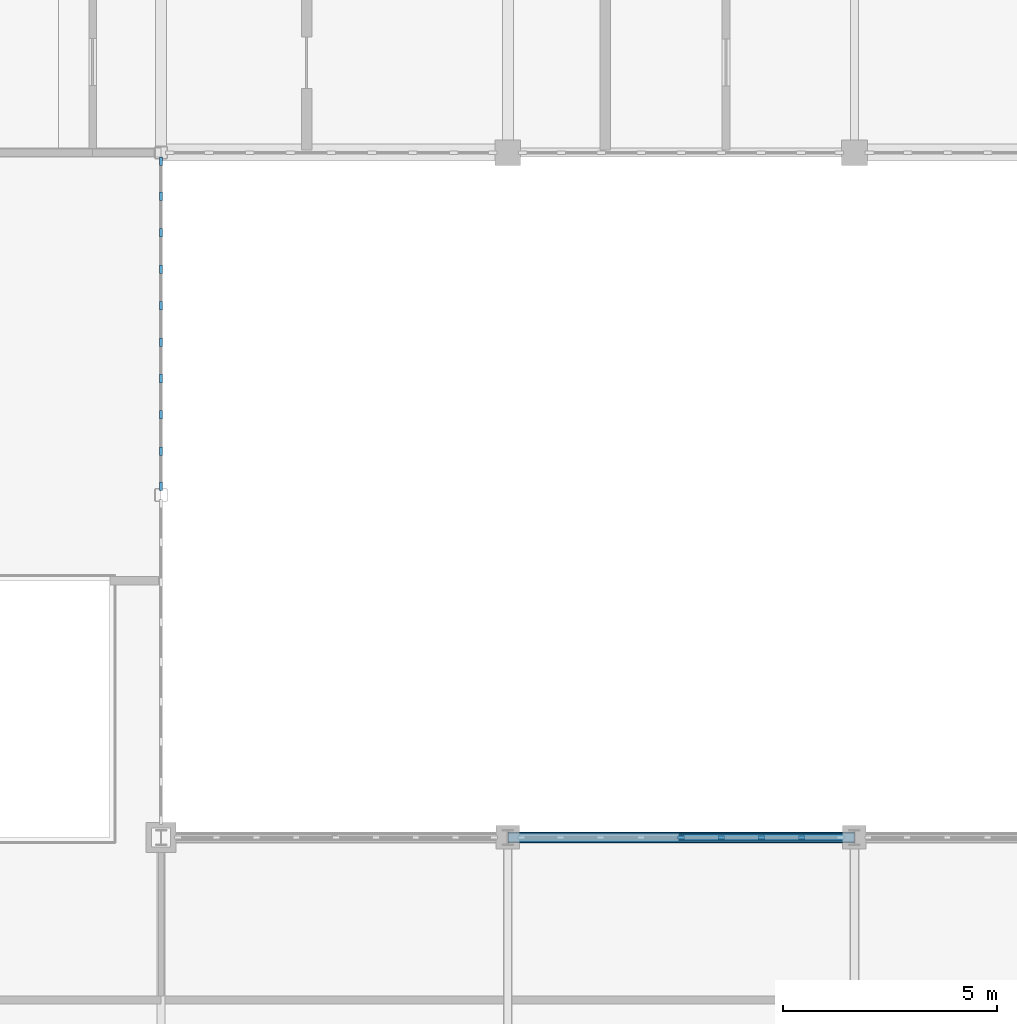
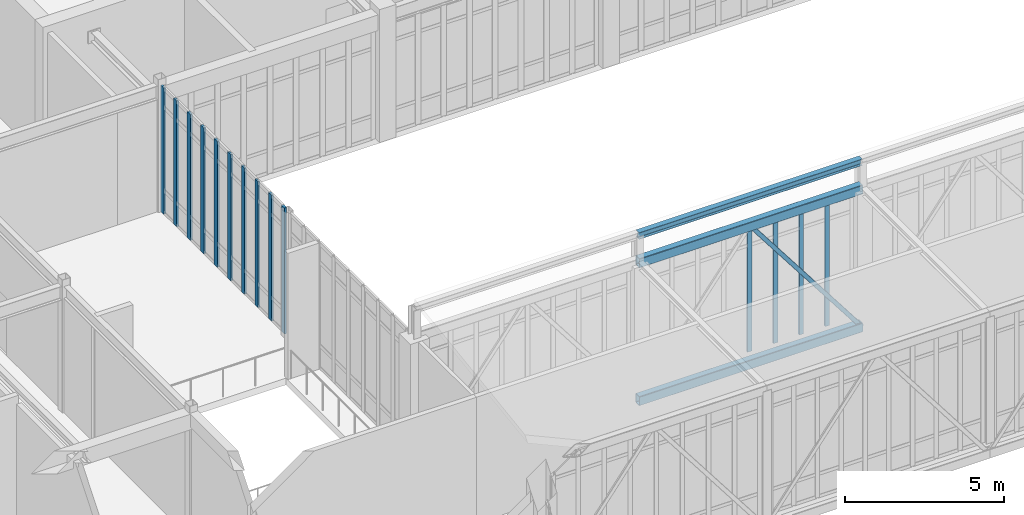
# One storey, part 28 of 107: 17 members, 1 beam, 2 elements without a shape of their own.
"""IFC4 building model written with IfcOpenShell, lengths in metres."""

from ifc_helpers import new_model, si_unit, direction, frame, origin, origin_2d, place, context, subcontext, project, spatial, rectangle, hollow_rectangle, i_section, extrude, material, material_profile, profile_set, type_object, element, aggregate, save


model = new_model("IFC4")

# Units and contexts
model_context = context("Model", 3, precision=1e-05, world=origin(), true_north=direction((0.0, 1.0)))
body_context = subcontext(model_context, "Body", "Model", "MODEL_VIEW")
ifc_project = project(units=[si_unit("LENGTHUNIT", "METRE"), si_unit("AREAUNIT", "SQUARE_METRE"), si_unit("VOLUMEUNIT", "CUBIC_METRE"), si_unit("PLANEANGLEUNIT", "RADIAN"), si_unit("MASSUNIT", "GRAM", prefix="KILO")], contexts=[model_context])

# Site, building, storey
site_placement = place(None, origin())
site = spatial("IfcSite", under=ifc_project, at=site_placement, CompositionType="ELEMENT")
building_placement = place(site_placement, origin())
building = spatial("IfcBuilding", under=site, at=building_placement, Name="Tarnveldt Square Police Headquarters", CompositionType="ELEMENT")
storey_placement = place(building_placement, frame((0.0, 0.0, 14.699951171875)))
storey = spatial("IfcBuildingStorey", under=building, at=storey_placement, Name="L03", CompositionType="ELEMENT", Elevation=14.699951171875)

# Beam
ifc_material_1 = material(Name="Steel 350W", Category="steel")
ifc_material_profile_1 = material_profile(ifc_material_1, i_section(OverallWidth=0.202880859375, OverallDepth=0.251953125, WebThickness=0.008056640625, FlangeThickness=0.013427734375, FilletRadius=0.012939453125, at=origin_2d()), Name="W250x58")
ifc_profile_set_1 = profile_set([ifc_material_profile_1], Name="Steel 350W")
beam_type = type_object("IfcBeamType", Name="BM-W250x58", PredefinedType="BEAM", material=ifc_profile_set_1)
beam_placement = place(storey_placement, frame((56.699951171875, 80.0, 5.89013671875), z_axis=(1.0, 0.0, 0.0), x_axis=(0.0, 1.0, 0.0)))
element("IfcBeam", 1, at=beam_placement, inside=storey, type_object=beam_type, Name="Skybridge SBN High Eave Beam 2", PredefinedType="BEAM", context=body_context, shape_type="SweptSolid", body=[
    extrude(i_section(OverallWidth=0.202880859375, OverallDepth=0.251953125, WebThickness=0.008056640625, FlangeThickness=0.013427734375, FilletRadius=0.012939453125, at=origin_2d()), origin(), (0.0, 0.0, 1.0), 8.10009765625),
])

# Curtain wall, members
ifc_material_2 = material(Name="Triple-glazed low-e laminated vision glass", Category="glass")
curtain_wall_type_1 = type_object("IfcCurtainWallType", Name="CW-SB-752x484", PredefinedType="USERDEFINED", material=ifc_material_2)
curtain_wall_1_placement = place(storey_placement, origin())
curtain_wall_1 = element("IfcCurtainWall", 2, at=curtain_wall_1_placement, inside=storey, type_object=curtain_wall_type_1, Name="L03 Curtain Wall CW-L03-160", ObjectType="GLAZED CURTAIN WALL", PredefinedType="USERDEFINED")
ifc_material_3 = material(Name="Thermally broken anodised aluminium 6063-T6", Category="aluminium")
ifc_material_profile_2 = material_profile(ifc_material_3, rectangle(XDim=0.06494140625, YDim=0.159912109375, at=origin_2d()), Name="CW-M65x160")
ifc_profile_set_2 = profile_set([ifc_material_profile_2], Name="Thermally broken anodised aluminium 6063-T6")
member_type_1 = type_object("IfcMemberType", Name="CWM-65x160", PredefinedType="MULLION", material=ifc_profile_set_2)
member_1_placement = place(storey_placement, frame((60.75, 80.0, 0.0), z_axis=(0.0, 0.0, 1.0), x_axis=(0.0, 1.0, 0.0)))
member_1 = element("IfcMember", 3, at=member_1_placement, type_object=member_type_1, Name="CW-SB95 mullion 5", PredefinedType="MULLION", context=body_context, shape_type="SweptSolid", body=[
    extrude(rectangle(XDim=0.06494140625, YDim=0.159912109375, at=origin_2d()), origin(), (0.0, 0.0, 1.0), 4.840087890625),
])
member_2_placement = place(storey_placement, frame((61.68994140625, 80.0, 0.0), z_axis=(0.0, 0.0, 1.0), x_axis=(0.0, 1.0, 0.0)))
member_2 = element("IfcMember", 4, at=member_2_placement, type_object=member_type_1, Name="CW-SB95 mullion 6", PredefinedType="MULLION", context=body_context, shape_type="SweptSolid", body=[
    extrude(rectangle(XDim=0.06494140625, YDim=0.159912109375, at=origin_2d()), origin(), (0.0, 0.0, 1.0), 4.840087890625),
])
member_3_placement = place(storey_placement, frame((62.6298828125, 80.0, 0.0), z_axis=(0.0, 0.0, 1.0), x_axis=(0.0, 1.0, 0.0)))
member_3 = element("IfcMember", 5, at=member_3_placement, type_object=member_type_1, Name="CW-SB95 mullion 7", PredefinedType="MULLION", context=body_context, shape_type="SweptSolid", body=[
    extrude(rectangle(XDim=0.06494140625, YDim=0.159912109375, at=origin_2d()), origin(), (0.0, 0.0, 1.0), 4.840087890625),
])
member_4_placement = place(storey_placement, frame((63.570068359375, 80.0, 0.0), z_axis=(0.0, 0.0, 1.0), x_axis=(0.0, 1.0, 0.0)))
member_4 = element("IfcMember", 6, at=member_4_placement, type_object=member_type_1, Name="CW-SB95 mullion 8", PredefinedType="MULLION", context=body_context, shape_type="SweptSolid", body=[
    extrude(rectangle(XDim=0.06494140625, YDim=0.159912109375, at=origin_2d()), origin(), (0.0, 0.0, 1.0), 4.840087890625),
])
aggregate(curtain_wall_1, [member_1, member_2, member_3, member_4])

curtain_wall_type_2 = type_object("IfcCurtainWallType", Name="CW-WG-767x484", PredefinedType="USERDEFINED", material=ifc_material_2)
curtain_wall_2_placement = place(storey_placement, origin())
curtain_wall_2 = element("IfcCurtainWall", 7, at=curtain_wall_2_placement, inside=storey, type_object=curtain_wall_type_2, Name="L03 Curtain Wall CW-L03-082", ObjectType="GLAZED CURTAIN WALL", PredefinedType="USERDEFINED")
ifc_material_profile_3 = material_profile(ifc_material_3, rectangle(XDim=0.074951171875, YDim=0.199951171875, at=origin_2d()), Name="CW-M75x200")
ifc_profile_set_3 = profile_set([ifc_material_profile_3], Name="Thermally broken anodised aluminium 6063-T6")
member_type_2 = type_object("IfcMemberType", Name="CWM-75x200", PredefinedType="MULLION", material=ifc_profile_set_3)
member_5_placement = place(storey_placement, frame((48.60009765625, 88.204833984375, 0.0), z_axis=(0.0, 0.0, 1.0), x_axis=(-1.0, 0.0, 0.0)))
member_5 = element("IfcMember", 8, at=member_5_placement, type_object=member_type_2, Name="CW-WG40 mullion 1", PredefinedType="MULLION", context=body_context, shape_type="SweptSolid", body=[
    extrude(rectangle(XDim=0.074951171875, YDim=0.199951171875, at=origin_2d()), origin(), (0.0, 0.0, 1.0), 4.840087890625),
])
member_6_placement = place(storey_placement, frame((48.60009765625, 89.01904296875, 0.0), z_axis=(0.0, 0.0, 1.0), x_axis=(-1.0, 0.0, 0.0)))
member_6 = element("IfcMember", 9, at=member_6_placement, type_object=member_type_2, Name="CW-WG40 mullion 2", PredefinedType="MULLION", context=body_context, shape_type="SweptSolid", body=[
    extrude(rectangle(XDim=0.074951171875, YDim=0.199951171875, at=origin_2d()), origin(), (0.0, 0.0, 1.0), 4.840087890625),
])
member_7_placement = place(storey_placement, frame((48.60009765625, 89.870849609375, 0.0), z_axis=(0.0, 0.0, 1.0), x_axis=(-1.0, 0.0, 0.0)))
member_7 = element("IfcMember", 10, at=member_7_placement, type_object=member_type_2, Name="CW-WG40 mullion 3", PredefinedType="MULLION", context=body_context, shape_type="SweptSolid", body=[
    extrude(rectangle(XDim=0.074951171875, YDim=0.199951171875, at=origin_2d()), origin(), (0.0, 0.0, 1.0), 4.840087890625),
])
member_8_placement = place(storey_placement, frame((48.60009765625, 90.722412109375, 0.0), z_axis=(0.0, 0.0, 1.0), x_axis=(-1.0, 0.0, 0.0)))
member_8 = element("IfcMember", 11, at=member_8_placement, type_object=member_type_2, Name="CW-WG40 mullion 4", PredefinedType="MULLION", context=body_context, shape_type="SweptSolid", body=[
    extrude(rectangle(XDim=0.074951171875, YDim=0.199951171875, at=origin_2d()), origin(), (0.0, 0.0, 1.0), 4.840087890625),
])
member_9_placement = place(storey_placement, frame((48.60009765625, 91.57421875, 0.0), z_axis=(0.0, 0.0, 1.0), x_axis=(-1.0, 0.0, 0.0)))
member_9 = element("IfcMember", 12, at=member_9_placement, type_object=member_type_2, Name="CW-WG40 mullion 5", PredefinedType="MULLION", context=body_context, shape_type="SweptSolid", body=[
    extrude(rectangle(XDim=0.074951171875, YDim=0.199951171875, at=origin_2d()), origin(), (0.0, 0.0, 1.0), 4.840087890625),
])
member_10_placement = place(storey_placement, frame((48.60009765625, 92.42578125, 0.0), z_axis=(0.0, 0.0, 1.0), x_axis=(-1.0, 0.0, 0.0)))
member_10 = element("IfcMember", 13, at=member_10_placement, type_object=member_type_2, Name="CW-WG40 mullion 6", PredefinedType="MULLION", context=body_context, shape_type="SweptSolid", body=[
    extrude(rectangle(XDim=0.074951171875, YDim=0.199951171875, at=origin_2d()), origin(), (0.0, 0.0, 1.0), 4.840087890625),
])
member_11_placement = place(storey_placement, frame((48.60009765625, 93.277587890625, 0.0), z_axis=(0.0, 0.0, 1.0), x_axis=(-1.0, 0.0, 0.0)))
member_11 = element("IfcMember", 14, at=member_11_placement, type_object=member_type_2, Name="CW-WG40 mullion 7", PredefinedType="MULLION", context=body_context, shape_type="SweptSolid", body=[
    extrude(rectangle(XDim=0.074951171875, YDim=0.199951171875, at=origin_2d()), origin(), (0.0, 0.0, 1.0), 4.840087890625),
])
member_12_placement = place(storey_placement, frame((48.60009765625, 94.129150390625, 0.0), z_axis=(0.0, 0.0, 1.0), x_axis=(-1.0, 0.0, 0.0)))
member_12 = element("IfcMember", 15, at=member_12_placement, type_object=member_type_2, Name="CW-WG40 mullion 8", PredefinedType="MULLION", context=body_context, shape_type="SweptSolid", body=[
    extrude(rectangle(XDim=0.074951171875, YDim=0.199951171875, at=origin_2d()), origin(), (0.0, 0.0, 1.0), 4.840087890625),
])
member_13_placement = place(storey_placement, frame((48.60009765625, 94.98095703125, 0.0), z_axis=(0.0, 0.0, 1.0), x_axis=(-1.0, 0.0, 0.0)))
member_13 = element("IfcMember", 16, at=member_13_placement, type_object=member_type_2, Name="CW-WG40 mullion 9", PredefinedType="MULLION", context=body_context, shape_type="SweptSolid", body=[
    extrude(rectangle(XDim=0.074951171875, YDim=0.199951171875, at=origin_2d()), origin(), (0.0, 0.0, 1.0), 4.840087890625),
])
member_14_placement = place(storey_placement, frame((48.60009765625, 95.795166015625, 0.0), z_axis=(0.0, 0.0, 1.0), x_axis=(-1.0, 0.0, 0.0)))
member_14 = element("IfcMember", 17, at=member_14_placement, type_object=member_type_2, Name="CW-WG40 mullion 10", PredefinedType="MULLION", context=body_context, shape_type="SweptSolid", body=[
    extrude(rectangle(XDim=0.074951171875, YDim=0.199951171875, at=origin_2d()), origin(), (0.0, 0.0, 1.0), 4.840087890625),
])
aggregate(curtain_wall_2, [member_5, member_6, member_7, member_8, member_9, member_10, member_11, member_12, member_13, member_14])

# Members
ifc_material_profile_4 = material_profile(ifc_material_1, hollow_rectangle(XDim=0.25390625, YDim=0.355712890625, WallThickness=0.015869140625, InnerFilletRadius=0.015869140625, OuterFilletRadius=0.03173828125, at=origin_2d()), Name="HSS356x254x16")
ifc_profile_set_4 = profile_set([ifc_material_profile_4], Name="Steel 350W")
member_type_3 = type_object("IfcMemberType", Name="MEM-SB-CHORD", PredefinedType="CHORD", material=ifc_profile_set_4)
for number, where, z_axis, x_axis, name in (
    (18, (56.699951171875, 80.0, -0.43994140625), (1.0, 0.0, 0.0), (0.0, 1.0, 0.0), "Skybridge SBN Bottom Chord N2"),
    (19, (56.699951171875, 80.0, 4.85009765625), (1.0, 0.0, 0.0), (0.0, 1.0, 0.0), "Skybridge SBN Top Chord N2"),
):
    element("IfcMember", number, at=place(storey_placement, frame(where, z_axis=z_axis, x_axis=x_axis)), inside=storey, type_object=member_type_3, Name=name, PredefinedType="CHORD", context=body_context, shape_type="SweptSolid", body=[
        extrude(hollow_rectangle(XDim=0.25390625, YDim=0.355712890625, WallThickness=0.015869140625, InnerFilletRadius=0.015869140625, OuterFilletRadius=0.03173828125, at=origin_2d()), origin(), (0.0, 0.0, 1.0), 8.10009765625),
    ])
ifc_material_profile_5 = material_profile(ifc_material_1, hollow_rectangle(XDim=0.15234375, YDim=0.15234375, WallThickness=0.009521484375, InnerFilletRadius=0.009521484375, OuterFilletRadius=0.01904296875, at=origin_2d()), Name="HSS152x152x9.5")
ifc_profile_set_5 = profile_set([ifc_material_profile_5], Name="Steel 350W")
member_type_4 = type_object("IfcMemberType", Name="MEM-SB-WEB", PredefinedType="BRACE", material=ifc_profile_set_5)
member_15_placement = place(storey_placement, frame((64.800048828125, 80.0, -0.43994140625), z_axis=(-0.607897507531, 0.0, 0.794015503839), x_axis=(0.0, -1.0, 0.0)))
element("IfcMember", 20, at=member_15_placement, inside=storey, type_object=member_type_4, Name="Skybridge SBN Web B2", PredefinedType="BRACE", context=body_context, shape_type="SweptSolid", body=[
    extrude(hollow_rectangle(XDim=0.15234375, YDim=0.15234375, WallThickness=0.009521484375, InnerFilletRadius=0.009521484375, OuterFilletRadius=0.01904296875, at=origin_2d()), origin(), (0.0, 0.0, 1.0), 6.662353515625),
])

save(model, "model.ifc")
